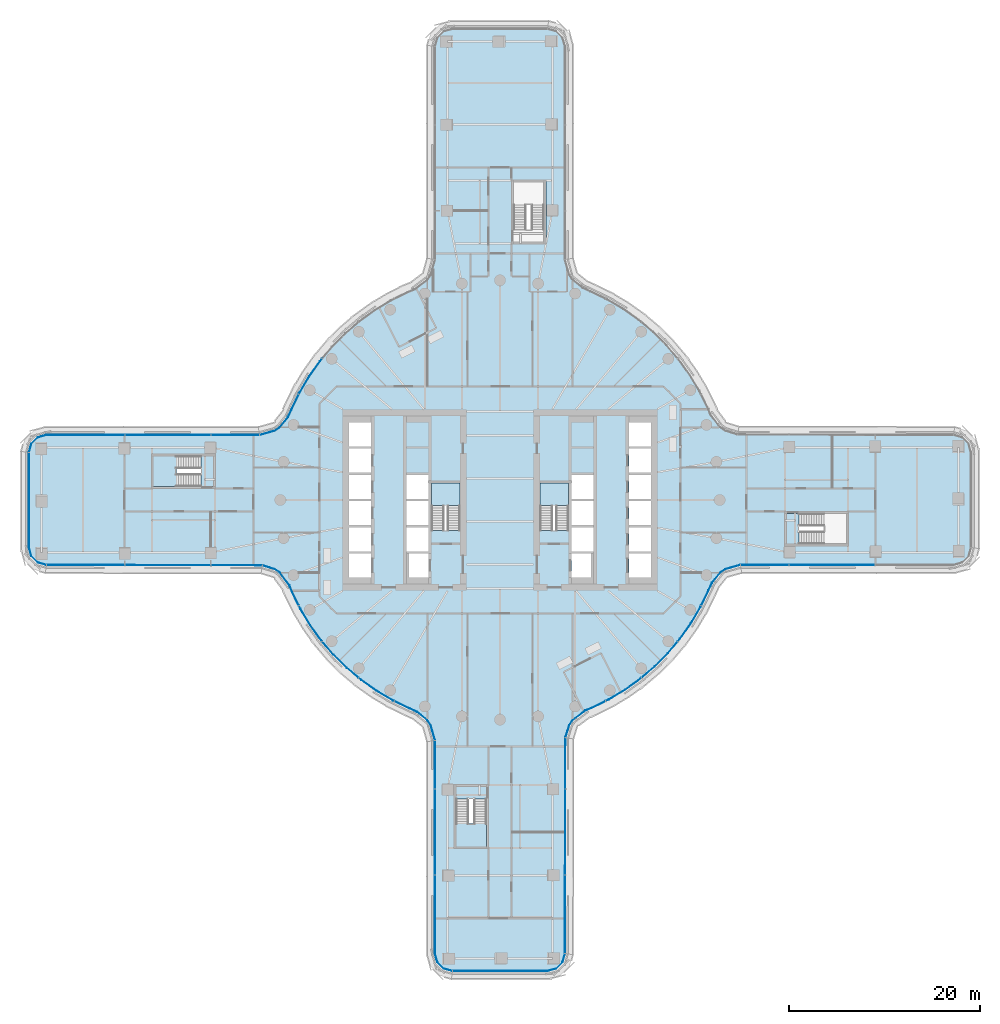
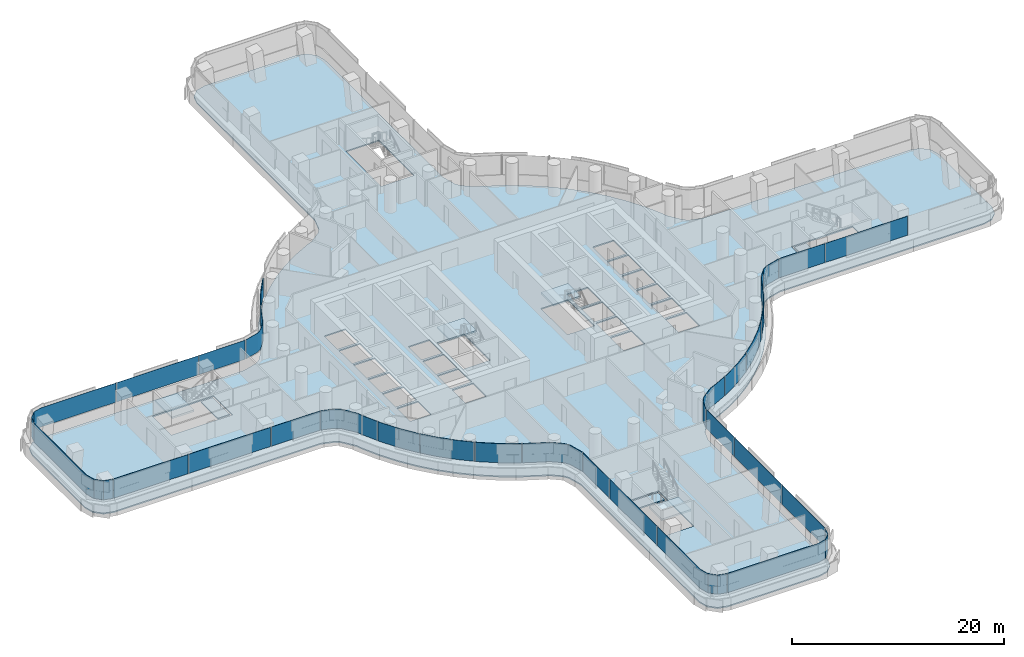
# One storey, part 17 of 32: 28 plates, 8 slabs, 14 elements without a shape of their own.
"""IFC4 building model written with IfcOpenShell, lengths in metres."""

import ifcopenshell
import ifcopenshell.guid

model = None  # the IFC model being written
_history = None  # IfcOwnerHistory: only IFC2X3 demands one
_inside = {}  # id of a spatial element -> (the spatial element, [elements in it])
_under = {}  # id of a project, library or spatial element -> (it, [spatial elements below it])
_declared = {}  # id of a project -> (the project, [libraries it declares])
_typed = {}  # id of a type object -> (the type object, [elements of that type])
_made_of = {}  # id of a material, layer set ... -> (it, [elements and type objects made of it])


def new_model(schema):
    """Start an empty IFC model of exactly this schema.

    Asked for "IFC4X3", IfcOpenShell would pick the latest addendum, in which some entities
    have other attributes; the version numbers below select the first issue.
    IFC2X3 requires an IfcOwnerHistory on every rooted entity: one is made here for all.
    """
    global model, _history
    if schema == "IFC4X3":
        model = ifcopenshell.file(schema_version=(4, 3, 0, 0))
    else:
        model = ifcopenshell.file(schema=schema)
    _inside.clear()
    _under.clear()
    _declared.clear()
    _typed.clear()
    _made_of.clear()
    _history = None
    if model.schema == "IFC2X3":
        org = make("IfcOrganization", Name="unknown")
        user = make(
            "IfcPersonAndOrganization",
            ThePerson=make("IfcPerson", FamilyName="unknown"),
            TheOrganization=org,
        )
        app = make(
            "IfcApplication",
            ApplicationDeveloper=org,
            Version="unknown",
            ApplicationFullName="unknown",
            ApplicationIdentifier="unknown",
        )
        _history = make(
            "IfcOwnerHistory",
            OwningUser=user,
            OwningApplication=app,
            ChangeAction="ADDED",
            CreationDate=0,
        )
    return model


def make(cls, **values):
    """One entity of the class cls with the attributes given. An attribute that is None is left unset."""
    return model.create_entity(
        cls, **{name: value for name, value in values.items() if value is not None}
    )


def rooted(cls, **values):
    """An entity with a GlobalId (a new one), such as an element, a storey or a relation."""
    return make(cls, GlobalId=ifcopenshell.guid.new(), OwnerHistory=_history, **values)


def si_unit(unit_type, name, prefix=None):
    """IfcSIUnit, for example si_unit("LENGTHUNIT", "METRE", prefix="MILLI")."""
    return make("IfcSIUnit", UnitType=unit_type, Prefix=prefix, Name=name)


def assignment(units):
    """IfcUnitAssignment: the units of a project."""
    return None if units is None else make("IfcUnitAssignment", Units=units)


def point(xyz):
    """IfcCartesianPoint."""
    return None if xyz is None else make("IfcCartesianPoint", Coordinates=xyz)


def direction(xyz):
    """IfcDirection."""
    return None if xyz is None else make("IfcDirection", DirectionRatios=xyz)


def frame(location, z_axis=None, x_axis=None):
    """IfcAxis2Placement3D, a coordinate frame: its origin and axes. An axis left out is left unset."""
    return make(
        "IfcAxis2Placement3D",
        Location=point(location),
        Axis=direction(z_axis),
        RefDirection=direction(x_axis),
    )


def origin():
    """The frame at (0, 0, 0) with its axes left unset."""
    return frame((0.0, 0.0, 0.0))


def place(relative_to, where):
    """IfcLocalPlacement: puts the frame where relative to a parent placement (None: the world)."""
    return make(
        "IfcLocalPlacement", PlacementRelTo=relative_to, RelativePlacement=where
    )


def context(
    kind, dimensions, precision=None, world=None, true_north=None, identifier=None
):
    """IfcGeometricRepresentationContext, for example the 3D "Model" context."""
    return make(
        "IfcGeometricRepresentationContext",
        ContextIdentifier=identifier,
        ContextType=kind,
        CoordinateSpaceDimension=dimensions,
        Precision=precision,
        WorldCoordinateSystem=world,
        TrueNorth=true_north,
    )


def subcontext(parent, identifier, kind, view, scale=None):
    """IfcGeometricRepresentationSubContext, for example "Body" below "Model"."""
    return make(
        "IfcGeometricRepresentationSubContext",
        ContextIdentifier=identifier,
        ContextType=kind,
        ParentContext=parent,
        TargetScale=scale,
        TargetView=view,
    )


def project(units=None, contexts=None):
    """IfcProject with its units and contexts."""
    return rooted(
        "IfcProject",
        Name="project",
        RepresentationContexts=contexts,
        UnitsInContext=assignment(units),
    )


def spatial(cls, under=None, at=None, **own):
    """A site, building, storey or space (cls), placed at a placement, below another one or the project."""
    s = rooted(cls, ObjectPlacement=at, **own)
    if under is not None:
        _under.setdefault(under.id(), (under, []))[1].append(s)
    return s


def polyline(points):
    """IfcPolyline through the points."""
    return make("IfcPolyline", Points=[point(p) for p in points])


def outline(outer, holes=None, kind="AREA"):
    """IfcArbitraryClosedProfileDef: a profile drawn as a closed curve; with holes, ...WithVoids."""
    if holes is None:
        return make("IfcArbitraryClosedProfileDef", ProfileType=kind, OuterCurve=outer)
    return make(
        "IfcArbitraryProfileDefWithVoids",
        ProfileType=kind,
        OuterCurve=outer,
        InnerCurves=holes,
    )


def extrude(swept, where, along, depth):
    """IfcExtrudedAreaSolid: the profile swept, set in the frame where, extruded along a direction by depth."""
    return make(
        "IfcExtrudedAreaSolid",
        SweptArea=swept,
        Position=where,
        ExtrudedDirection=direction(along),
        Depth=depth,
    )


def shape(context_of_items, identifier, shape_type, items):
    """IfcShapeRepresentation: the items that make up one representation, for example the "Body"."""
    return make(
        "IfcShapeRepresentation",
        ContextOfItems=context_of_items,
        RepresentationIdentifier=identifier,
        RepresentationType=shape_type,
        Items=items,
    )


def material(Name=None, Category=None):
    """IfcMaterial."""
    return make("IfcMaterial", Name=Name, Category=Category)


def layer(
    of_material, thickness, ventilated=None, Name=None, Category=None, Priority=None
):
    """IfcMaterialLayer: one layer of a wall or slab, of a material (None: an air gap)."""
    return make(
        "IfcMaterialLayer",
        Material=of_material,
        LayerThickness=thickness,
        IsVentilated=ventilated,
        Name=Name,
        Category=Category,
        Priority=Priority,
    )


def layer_set(layers, Name=None):
    """IfcMaterialLayerSet."""
    return make("IfcMaterialLayerSet", MaterialLayers=layers, LayerSetName=Name)


def made_of(thing, what):
    """Note that an element or type object is made of a material, layer set ...; save() writes the relation."""
    if what is not None:
        _made_of.setdefault(what.id(), (what, []))[1].append(thing)
    return thing


def type_object(cls, material=None, **own):
    """A type object (cls), such as IfcWallType, which elements share."""
    return made_of(rooted(cls, **own), material)


def element(
    cls,
    number,
    at=None,
    inside=None,
    cuts=None,
    type_object=None,
    material=None,
    context=None,
    identifier="Body",
    shape_type=None,
    held_by="IfcProductDefinitionShape",
    body=None,
    shapes=None,
    **own,
):
    """One element of the class cls, such as IfcWall. Its Tag is "e" and its number.

    at: its placement. inside: the storey or other place that contains it. cuts: it is an
    opening in that element (IfcRelVoidsElement). A single representation is given by context,
    identifier, shape_type and body (its items); several are given by shapes. held_by: the class
    of the entity that holds the representations. save() writes the other relations.
    """
    e = rooted(cls, Tag="e%d" % number, ObjectPlacement=at, **own)
    if body is not None:
        shapes = [shape(context, identifier, shape_type, body)]
    if shapes is not None:
        e.Representation = make(held_by, Representations=shapes)
    if inside is not None:
        _inside.setdefault(inside.id(), (inside, []))[1].append(e)
    if cuts is not None:
        rooted(
            "IfcRelVoidsElement", RelatingBuildingElement=cuts, RelatedOpeningElement=e
        )
    if type_object is not None:
        _typed.setdefault(type_object.id(), (type_object, []))[1].append(e)
    return made_of(e, material)


def aggregate(whole, parts):
    """IfcRelAggregates: a whole, such as a stair, and the parts it consists of."""
    return rooted("IfcRelAggregates", RelatingObject=whole, RelatedObjects=parts)


def save(model, path):
    """Write the relations noted so far, then the file.

    IfcRelAggregates (storeys below a building ...), IfcRelContainedInSpatialStructure (elements
    in a storey), IfcRelDefinesByType, IfcRelAssociatesMaterial and IfcRelDeclares: one each for
    every whole, place, type object, material and project.
    """
    for whole, parts in _under.values():
        aggregate(whole, parts)
    for where, things in _inside.values():
        rooted(
            "IfcRelContainedInSpatialStructure",
            RelatedElements=things,
            RelatingStructure=where,
        )
    for kind, things in _typed.values():
        rooted("IfcRelDefinesByType", RelatedObjects=things, RelatingType=kind)
    for what, things in _made_of.values():
        rooted("IfcRelAssociatesMaterial", RelatedObjects=things, RelatingMaterial=what)
    for by, libraries in _declared.values():
        rooted("IfcRelDeclares", RelatingContext=by, RelatedDefinitions=libraries)
    model.write(path)


model = new_model("IFC4")

# Units and contexts
model_context = context("Model", 3, precision=1e-05, world=origin(), true_north=direction((0.0, 1.0)))
body_context = subcontext(model_context, "Body", "Model", "MODEL_VIEW")
ifc_project = project(units=[si_unit("LENGTHUNIT", "METRE"), si_unit("AREAUNIT", "SQUARE_METRE"), si_unit("VOLUMEUNIT", "CUBIC_METRE"), si_unit("PLANEANGLEUNIT", "RADIAN"), si_unit("MASSUNIT", "GRAM", prefix="KILO")], contexts=[model_context])

# Site, building, storey
site_placement = place(None, origin())
site = spatial("IfcSite", under=ifc_project, at=site_placement, CompositionType="ELEMENT")
building_placement = place(site_placement, origin())
building = spatial("IfcBuilding", under=site, at=building_placement, Name="Tamarind Cross Interchange Tower", CompositionType="ELEMENT")
storey_placement = place(building_placement, frame((0.0, 0.0, 34.0)))
storey = spatial("IfcBuildingStorey", under=building, at=storey_placement, Name="L06", CompositionType="ELEMENT", Elevation=34.0)

# Slabs
ifc_material_1 = material(Name="Concrete C35", Category="concrete")
ifc_layer_1 = layer(ifc_material_1, 0.139892578125)
ifc_layer_set_1 = layer_set([ifc_layer_1], Name="Concrete C35")
slab_type_1 = type_object("IfcSlabType", Name="Composite slab 140 Concrete C35", PredefinedType="FLOOR", material=ifc_layer_set_1)
slab_1_placement = place(storey_placement, frame((0.0, 0.0, -0.139892578125)))
element("IfcSlab", 1, at=slab_1_placement, inside=storey, type_object=slab_type_1, Name="Floor slab L06", PredefinedType="FLOOR", context=body_context, shape_type="SweptSolid", body=[
    extrude(outline(polyline([(-6.732177734375, 48.507568359375), (-7.0, 47.507568359375), (-7.0, 25.208740234375), (-7.433837890625, 23.65478515625), (-7.75927734375, 23.17822265625), (-9.04931640625, 22.209228515625), (-9.7333984375, 21.93310546875), (-11.511474609375, 21.054443359375), (-13.2109375, 20.031982421875), (-14.820068359375, 18.87255859375), (-16.327880859375, 17.584228515625), (-17.72412109375, 16.17578125), (-18.99951171875, 14.656982421875), (-20.14501953125, 13.0380859375), (-21.15283203125, 11.329833984375), (-22.01611328125, 9.54443359375), (-22.357421875, 8.7919921875), (-23.17822265625, 7.75927734375), (-23.65478515625, 7.433837890625), (-25.208740234375, 7.0), (-47.507568359375, 7.0), (-48.507568359375, 6.732177734375), (-49.239501953125, 6.0), (-49.507568359375, 5.0), (-49.507568359375, -5.0), (-49.239501953125, -6.0), (-48.507568359375, -6.732177734375), (-47.507568359375, -7.0), (-24.915283203125, -7.044189453125), (-23.65478515625, -7.433837890625), (-23.17822265625, -7.75927734375), (-22.209228515625, -9.04931640625), (-21.93310546875, -9.7333984375), (-21.054443359375, -11.511474609375), (-20.031982421875, -13.2109375), (-18.87255859375, -14.820068359375), (-17.584228515625, -16.327880859375), (-16.17578125, -17.72412109375), (-14.656982421875, -18.99951171875), (-13.0380859375, -20.14501953125), (-11.329833984375, -21.15283203125), (-9.54443359375, -22.01611328125), (-8.7919921875, -22.357421875), (-7.75927734375, -23.17822265625), (-7.433837890625, -23.65478515625), (-7.0, -25.208740234375), (-7.0, -47.507568359375), (-6.732177734375, -48.507568359375), (-6.0, -49.239501953125), (-5.0, -49.507568359375), (5.0, -49.507568359375), (6.0, -49.239501953125), (6.732177734375, -48.507568359375), (7.0, -47.507568359375), (7.044189453125, -24.915283203125), (7.433837890625, -23.65478515625), (7.75927734375, -23.17822265625), (9.04931640625, -22.209228515625), (9.7333984375, -21.93310546875), (11.511474609375, -21.054443359375), (13.2109375, -20.031982421875), (14.820068359375, -18.87255859375), (16.327880859375, -17.584228515625), (17.72412109375, -16.17578125), (18.99951171875, -14.656982421875), (20.14501953125, -13.0380859375), (21.15283203125, -11.329833984375), (22.01611328125, -9.54443359375), (22.357421875, -8.7919921875), (23.17822265625, -7.75927734375), (23.65478515625, -7.433837890625), (25.208740234375, -7.0), (47.507568359375, -7.0), (48.507568359375, -6.732177734375), (49.239501953125, -6.0), (49.507568359375, -5.0), (49.507568359375, 5.0), (49.239501953125, 6.0), (48.507568359375, 6.732177734375), (47.507568359375, 7.0), (24.915283203125, 7.044189453125), (23.65478515625, 7.433837890625), (23.17822265625, 7.75927734375), (22.209228515625, 9.04931640625), (21.93310546875, 9.7333984375), (21.054443359375, 11.511474609375), (20.031982421875, 13.2109375), (18.87255859375, 14.820068359375), (17.584228515625, 16.327880859375), (16.17578125, 17.72412109375), (14.656982421875, 18.99951171875), (13.0380859375, 20.14501953125), (11.329833984375, 21.15283203125), (9.54443359375, 22.01611328125), (8.7919921875, 22.357421875), (7.75927734375, 23.17822265625), (7.433837890625, 23.65478515625), (7.0, 25.208740234375), (7.0, 47.507568359375), (6.732177734375, 48.507568359375), (6.0, 49.239501953125), (5.0, 49.507568359375), (-5.0, 49.507568359375), (-6.0, 49.239501953125), (-6.732177734375, 48.507568359375)]), holes=[polyline([(-13.5, -8.125), (-15.800048828125, -8.125), (-15.800048828125, -5.625), (-13.5, -5.625), (-13.5, -8.125)]), polyline([(-13.5, -5.375), (-15.800048828125, -5.375), (-15.800048828125, -2.875), (-13.5, -2.875), (-13.5, -5.375)]), polyline([(-7.5, -5.375), (-9.800048828125, -5.375), (-9.800048828125, -2.875), (-7.5, -2.875), (-7.5, -5.375)]), polyline([(-15.800048828125, -2.625), (-15.800048828125, -0.125), (-13.5, -0.125), (-13.5, -2.625), (-15.800048828125, -2.625)]), polyline([(-9.800048828125, -2.625), (-9.800048828125, -0.125), (-7.5, -0.125), (-7.5, -2.625), (-9.800048828125, -2.625)]), polyline([(-36.5, 4.800048828125), (-29.800048828125, 4.800048828125), (-29.800048828125, 4.60009765625), (-29.800048828125, 1.39990234375), (-29.800048828125, 1.199951171875), (-36.5, 1.199951171875), (-36.5, 1.39990234375), (-36.5, 4.60009765625), (-36.5, 4.800048828125)]), polyline([(-13.5, 0.125), (-15.800048828125, 0.125), (-15.800048828125, 2.625), (-13.5, 2.625), (-13.5, 0.125)]), polyline([(-7.5, 0.125), (-9.800048828125, 0.125), (-9.800048828125, 2.625), (-7.5, 2.625), (-7.5, 0.125)]), polyline([(-13.5, 2.875), (-15.800048828125, 2.875), (-15.800048828125, 5.375), (-13.5, 5.375), (-13.5, 2.875)]), polyline([(-15.800048828125, 5.625), (-15.800048828125, 8.125), (-13.5, 8.125), (-13.5, 5.625), (-15.800048828125, 5.625)]), polyline([(-4.800048828125, -36.5), (-4.800048828125, -29.800048828125), (-4.60009765625, -29.800048828125), (-1.39990234375, -29.800048828125), (-1.199951171875, -29.800048828125), (-1.199951171875, -36.5), (-1.39990234375, -36.5), (-4.60009765625, -36.5), (-4.800048828125, -36.5)]), polyline([(-9.800048828125, -8.125), (-9.800048828125, -5.625), (-7.5, -5.625), (-7.5, -8.125), (-9.800048828125, -8.125)]), polyline([(-4.199951171875, -3.18798828125), (-7.14990234375, -3.18798828125), (-7.14990234375, 1.800048828125), (-4.199951171875, 1.800048828125), (-4.199951171875, -3.18798828125)]), polyline([(7.14990234375, 1.800048828125), (7.14990234375, -3.18798828125), (4.199951171875, -3.18798828125), (4.199951171875, 1.800048828125), (7.14990234375, 1.800048828125)]), polyline([(7.5, 2.625), (9.800048828125, 2.625), (9.800048828125, 0.125), (7.5, 0.125), (7.5, 2.625)]), polyline([(4.800048828125, 33.5), (4.800048828125, 26.800048828125), (4.60009765625, 26.800048828125), (1.39990234375, 26.800048828125), (1.199951171875, 26.800048828125), (1.199951171875, 33.5), (1.39990234375, 33.5), (4.60009765625, 33.5), (4.800048828125, 33.5)]), polyline([(7.5, -5.625), (9.800048828125, -5.625), (9.800048828125, -8.125), (7.5, -8.125), (7.5, -5.625)]), polyline([(15.800048828125, -5.625), (15.800048828125, -8.125), (13.5, -8.125), (13.5, -5.625), (15.800048828125, -5.625)]), polyline([(29.800048828125, -4.800048828125), (29.800048828125, -4.60009765625), (29.800048828125, -1.39990234375), (29.800048828125, -1.199951171875), (36.5, -1.199951171875), (36.5, -1.39990234375), (36.5, -4.60009765625), (36.5, -4.800048828125), (29.800048828125, -4.800048828125)]), polyline([(7.5, -2.875), (9.800048828125, -2.875), (9.800048828125, -5.375), (7.5, -5.375), (7.5, -2.875)]), polyline([(13.5, -2.875), (15.800048828125, -2.875), (15.800048828125, -5.375), (13.5, -5.375), (13.5, -2.875)]), polyline([(7.5, -0.125), (9.800048828125, -0.125), (9.800048828125, -2.625), (7.5, -2.625), (7.5, -0.125)]), polyline([(15.800048828125, -0.125), (15.800048828125, -2.625), (13.5, -2.625), (13.5, -0.125), (15.800048828125, -0.125)]), polyline([(13.5, 2.625), (15.800048828125, 2.625), (15.800048828125, 0.125), (13.5, 0.125), (13.5, 2.625)]), polyline([(15.800048828125, 5.375), (15.800048828125, 2.875), (13.5, 2.875), (13.5, 5.375), (15.800048828125, 5.375)]), polyline([(15.800048828125, 8.125), (15.800048828125, 5.625), (13.5, 5.625), (13.5, 8.125), (15.800048828125, 8.125)])]), origin(), (0.0, 0.0, 1.0), 0.139892578125),
])
slab_2_placement = place(storey_placement, frame((0.0, 0.0, -0.139892578125)))
element("IfcSlab", 2, at=slab_2_placement, inside=storey, type_object=slab_type_1, Name="Floor slab L06", PredefinedType="FLOOR", context=body_context, shape_type="SweptSolid", body=[
    extrude(outline(polyline([(-30.0, 1.39990234375), (-30.0, 4.60009765625), (-31.31201171875, 4.60009765625), (-31.31201171875, 1.39990234375), (-30.0, 1.39990234375)])), origin(), (0.0, 0.0, 1.0), 0.139892578125),
])
slab_3_placement = place(storey_placement, frame((0.0, 0.0, -0.139892578125)))
element("IfcSlab", 3, at=slab_3_placement, inside=storey, type_object=slab_type_1, Name="Floor slab L06", PredefinedType="FLOOR", context=body_context, shape_type="SweptSolid", body=[
    extrude(outline(polyline([(-4.60009765625, -31.31201171875), (-1.39990234375, -31.31201171875), (-1.39990234375, -30.0), (-4.60009765625, -30.0), (-4.60009765625, -31.31201171875)])), origin(), (0.0, 0.0, 1.0), 0.139892578125),
])
slab_4_placement = place(storey_placement, frame((0.0, 0.0, -0.139892578125)))
element("IfcSlab", 4, at=slab_4_placement, inside=storey, type_object=slab_type_1, Name="Floor slab L06", PredefinedType="FLOOR", context=body_context, shape_type="SweptSolid", body=[
    extrude(outline(polyline([(30.0, -4.60009765625), (31.31201171875, -4.60009765625), (31.31201171875, -1.39990234375), (30.0, -1.39990234375), (30.0, -4.60009765625)])), origin(), (0.0, 0.0, 1.0), 0.139892578125),
])

# Stair, slab
ifc_material_2 = material(Name="Exit stair")
stair_type = type_object("IfcStairType", Name="Exit stair", PredefinedType="HALF_TURN_STAIR", material=ifc_material_2)
stair_1_placement = place(storey_placement, origin())
stair_1 = element("IfcStair", 5, at=stair_1_placement, inside=storey, type_object=stair_type, Name="L06 exit stair ST1", PredefinedType="HALF_TURN_STAIR")
ifc_material_3 = material(Name="Concrete C40", Category="concrete")
ifc_layer_2 = layer(ifc_material_3, 0.199951171875)
ifc_layer_set_2 = layer_set([ifc_layer_2], Name="Concrete C40")
slab_type_2 = type_object("IfcSlabType", Name="Stair landing", PredefinedType="LANDING", material=ifc_layer_set_2)
slab_5_placement = place(storey_placement, frame((0.0, 0.0, 1.675048828125)))
slab_5 = element("IfcSlab", 6, at=slab_5_placement, type_object=slab_type_2, Name="ST1 landing 1", PredefinedType="LANDING", context=body_context, shape_type="SweptSolid", body=[
    extrude(outline(polyline([(-4.199951171875, -0.60009765625), (-4.199951171875, 1.800048828125), (-7.14990234375, 1.800048828125), (-7.14990234375, -0.60009765625), (-4.199951171875, -0.60009765625)])), origin(), (0.0, 0.0, 1.0), 0.199951171875),
])
aggregate(stair_1, [slab_5])

stair_2_placement = place(storey_placement, origin())
stair_2 = element("IfcStair", 7, at=stair_2_placement, inside=storey, type_object=stair_type, Name="L06 exit stair ST2", PredefinedType="HALF_TURN_STAIR")
slab_6_placement = place(storey_placement, frame((0.0, 0.0, 1.675048828125)))
slab_6 = element("IfcSlab", 8, at=slab_6_placement, type_object=slab_type_2, Name="ST2 landing 1", PredefinedType="LANDING", context=body_context, shape_type="SweptSolid", body=[
    extrude(outline(polyline([(7.14990234375, -0.60009765625), (7.14990234375, 1.800048828125), (4.199951171875, 1.800048828125), (4.199951171875, -0.60009765625), (7.14990234375, -0.60009765625)])), origin(), (0.0, 0.0, 1.0), 0.199951171875),
])
aggregate(stair_2, [slab_6])

stair_3_placement = place(storey_placement, origin())
stair_3 = element("IfcStair", 9, at=stair_3_placement, inside=storey, type_object=stair_type, Name="L06 exit stair ST5", PredefinedType="HALF_TURN_STAIR")
slab_7_placement = place(storey_placement, frame((0.0, 0.0, 1.675048828125)))
slab_7 = element("IfcSlab", 10, at=slab_7_placement, type_object=slab_type_2, Name="ST5 landing 1", PredefinedType="LANDING", context=body_context, shape_type="SweptSolid", body=[
    extrude(outline(polyline([(-33.887939453125, 4.60009765625), (-36.300048828125, 4.60009765625), (-36.300048828125, 1.39990234375), (-33.887939453125, 1.39990234375), (-33.887939453125, 4.60009765625)])), origin(), (0.0, 0.0, 1.0), 0.199951171875),
])
aggregate(stair_3, [slab_7])

stair_4_placement = place(storey_placement, origin())
stair_4 = element("IfcStair", 11, at=stair_4_placement, inside=storey, type_object=stair_type, Name="L06 exit stair ST6", PredefinedType="HALF_TURN_STAIR")
slab_8_placement = place(storey_placement, frame((0.0, 0.0, 1.675048828125)))
slab_8 = element("IfcSlab", 12, at=slab_8_placement, type_object=slab_type_2, Name="ST6 landing 1", PredefinedType="LANDING", context=body_context, shape_type="SweptSolid", body=[
    extrude(outline(polyline([(-4.60009765625, -33.887939453125), (-4.60009765625, -36.300048828125), (-1.39990234375, -36.300048828125), (-1.39990234375, -33.887939453125), (-4.60009765625, -33.887939453125)])), origin(), (0.0, 0.0, 1.0), 0.199951171875),
])
aggregate(stair_4, [slab_8])

# Curtain wall, plates
ifc_material_4 = material(Name="Aluminium 6063-T6", Category="aluminium")
ifc_layer_3 = layer(ifc_material_4, 0.159912109375)
ifc_layer_set_3 = layer_set([ifc_layer_3], Name="Aluminium 6063-T6")
curtain_wall_type_1 = type_object("IfcCurtainWallType", Name="Office curtain wall, 9.0 m bays", PredefinedType="NOTDEFINED", material=ifc_layer_set_3)
curtain_wall_1_placement = place(storey_placement, origin())
curtain_wall_1 = element("IfcCurtainWall", 13, at=curtain_wall_1_placement, inside=storey, type_object=curtain_wall_type_1, Name="CWS-L06-00", PredefinedType="NOTDEFINED")
ifc_material_5 = material(Name="Laminated low-e glass 8+1.52+8", Category="glass")
ifc_layer_4 = layer(ifc_material_5, 0.028076171875)
ifc_layer_set_4 = layer_set([ifc_layer_4], Name="Laminated low-e glass 8+1.52+8")
plate_type_1 = type_object("IfcPlateType", Name="Vision panel CW1", PredefinedType="CURTAIN_PANEL", material=ifc_layer_set_4)
plate_1_placement = place(storey_placement, frame((0.0, 0.0, 1.39990234375)))
plate_1 = element("IfcPlate", 14, at=plate_1_placement, type_object=plate_type_1, Name="CWP-L06-00-00", PredefinedType="CURTAIN_PANEL", context=body_context, shape_type="SweptSolid", body=[
    extrude(outline(polyline([(-25.21142578125, 6.785888671875), (-30.242919921875, 6.785888671875), (-30.242919921875, 6.81396484375), (-25.21142578125, 6.81396484375), (-25.21142578125, 6.785888671875)])), origin(), (0.0, 0.0, 1.0), 2.210205078125),
])
plate_2_placement = place(storey_placement, frame((0.0, 0.0, 1.39990234375)))
plate_2 = element("IfcPlate", 15, at=plate_2_placement, type_object=plate_type_1, Name="CWP-L06-00-01", PredefinedType="CURTAIN_PANEL", context=body_context, shape_type="SweptSolid", body=[
    extrude(outline(polyline([(-30.302734375, 6.785888671875), (-39.2431640625, 6.785888671875), (-39.2431640625, 6.81396484375), (-30.302734375, 6.81396484375), (-30.302734375, 6.785888671875)])), origin(), (0.0, 0.0, 1.0), 2.210205078125),
])
plate_3_placement = place(storey_placement, frame((0.0, 0.0, 1.39990234375)))
plate_3 = element("IfcPlate", 16, at=plate_3_placement, type_object=plate_type_1, Name="CWP-L06-00-02", PredefinedType="CURTAIN_PANEL", context=body_context, shape_type="SweptSolid", body=[
    extrude(outline(polyline([(-39.30322265625, 6.785888671875), (-47.4794921875, 6.785888671875), (-48.396728515625, 6.540283203125), (-49.0478515625, 5.88916015625), (-49.286376953125, 4.9990234375), (-49.313232421875, 5.00634765625), (-49.07275390625, 5.90380859375), (-48.411376953125, 6.565185546875), (-47.483154296875, 6.81396484375), (-39.30322265625, 6.81396484375), (-39.30322265625, 6.785888671875)])), origin(), (0.0, 0.0, 1.0), 2.210205078125),
])
aggregate(curtain_wall_1, [plate_1, plate_2, plate_3])

# Curtain wall, plate
curtain_wall_2_placement = place(storey_placement, origin())
curtain_wall_2 = element("IfcCurtainWall", 17, at=curtain_wall_2_placement, inside=storey, type_object=curtain_wall_type_1, Name="CWS-L06-01", PredefinedType="NOTDEFINED")
plate_4_placement = place(storey_placement, frame((0.0, 0.0, 1.39990234375)))
plate_4 = element("IfcPlate", 18, at=plate_4_placement, type_object=plate_type_1, Name="CWP-L06-01-00", PredefinedType="CURTAIN_PANEL", context=body_context, shape_type="SweptSolid", body=[
    extrude(outline(polyline([(-49.29345703125, 4.943603515625), (-49.29345703125, -4.971923828125), (-49.0478515625, -5.88916015625), (-48.396728515625, -6.540283203125), (-47.50634765625, -6.77880859375), (-47.513671875, -6.805908203125), (-48.411376953125, -6.565185546875), (-49.07275390625, -5.90380859375), (-49.321533203125, -4.9755859375), (-49.321533203125, 4.943603515625), (-49.29345703125, 4.943603515625)])), origin(), (0.0, 0.0, 1.0), 2.210205078125),
])
aggregate(curtain_wall_2, [plate_4])

# Curtain wall, plates
curtain_wall_3_placement = place(storey_placement, origin())
curtain_wall_3 = element("IfcCurtainWall", 19, at=curtain_wall_3_placement, inside=storey, type_object=curtain_wall_type_1, Name="CWS-L06-02", PredefinedType="NOTDEFINED")
plate_5_placement = place(storey_placement, frame((0.0, 0.0, 1.39990234375)))
plate_5 = element("IfcPlate", 20, at=plate_5_placement, type_object=plate_type_1, Name="CWP-L06-02-00", PredefinedType="CURTAIN_PANEL", context=body_context, shape_type="SweptSolid", body=[
    extrude(outline(polyline([(-47.450927734375, -6.7861328125), (-39.302001953125, -6.802001953125), (-39.302001953125, -6.830078125), (-47.451171875, -6.814208984375), (-47.450927734375, -6.7861328125)])), origin(), (0.0, 0.0, 1.0), 2.210205078125),
])
plate_6_placement = place(storey_placement, frame((0.0, 0.0, 1.39990234375)))
plate_6 = element("IfcPlate", 21, at=plate_6_placement, type_object=plate_type_1, Name="CWP-L06-02-01", PredefinedType="CURTAIN_PANEL", context=body_context, shape_type="SweptSolid", body=[
    extrude(outline(polyline([(-39.241943359375, -6.80224609375), (-30.300537109375, -6.81982421875), (-30.30078125, -6.84765625), (-39.2421875, -6.830322265625), (-39.241943359375, -6.80224609375)])), origin(), (0.0, 0.0, 1.0), 2.210205078125),
])
plate_7_placement = place(storey_placement, frame((0.0, 0.0, 1.39990234375)))
plate_7 = element("IfcPlate", 22, at=plate_7_placement, type_object=plate_type_1, Name="CWP-L06-02-02", PredefinedType="CURTAIN_PANEL", context=body_context, shape_type="SweptSolid", body=[
    extrude(outline(polyline([(-30.24072265625, -6.81982421875), (-24.914794921875, -6.830322265625), (-24.914794921875, -6.8583984375), (-30.24072265625, -6.847900390625), (-30.24072265625, -6.81982421875)])), origin(), (0.0, 0.0, 1.0), 2.210205078125),
])
aggregate(curtain_wall_3, [plate_5, plate_6, plate_7])

curtain_wall_4_placement = place(storey_placement, origin())
curtain_wall_4 = element("IfcCurtainWall", 23, at=curtain_wall_4_placement, inside=storey, type_object=curtain_wall_type_1, Name="CWS-L06-04", PredefinedType="NOTDEFINED")
plate_8_placement = place(storey_placement, frame((0.0, 0.0, 1.39990234375)))
plate_8 = element("IfcPlate", 24, at=plate_8_placement, type_object=plate_type_1, Name="CWP-L06-04-00", PredefinedType="CURTAIN_PANEL", context=body_context, shape_type="SweptSolid", body=[
    extrude(outline(polyline([(-6.785888671875, -25.21142578125), (-6.785888671875, -30.242919921875), (-6.81396484375, -30.242919921875), (-6.81396484375, -25.21142578125), (-6.785888671875, -25.21142578125)])), origin(), (0.0, 0.0, 1.0), 2.210205078125),
])
plate_9_placement = place(storey_placement, frame((0.0, 0.0, 1.39990234375)))
plate_9 = element("IfcPlate", 25, at=plate_9_placement, type_object=plate_type_1, Name="CWP-L06-04-01", PredefinedType="CURTAIN_PANEL", context=body_context, shape_type="SweptSolid", body=[
    extrude(outline(polyline([(-6.785888671875, -30.302734375), (-6.785888671875, -39.2431640625), (-6.81396484375, -39.2431640625), (-6.81396484375, -30.302734375), (-6.785888671875, -30.302734375)])), origin(), (0.0, 0.0, 1.0), 2.210205078125),
])
plate_10_placement = place(storey_placement, frame((0.0, 0.0, 1.39990234375)))
plate_10 = element("IfcPlate", 26, at=plate_10_placement, type_object=plate_type_1, Name="CWP-L06-04-02", PredefinedType="CURTAIN_PANEL", context=body_context, shape_type="SweptSolid", body=[
    extrude(outline(polyline([(-6.785888671875, -39.30322265625), (-6.785888671875, -47.4794921875), (-6.540283203125, -48.396728515625), (-5.88916015625, -49.0478515625), (-4.9990234375, -49.286376953125), (-5.00634765625, -49.313232421875), (-5.90380859375, -49.07275390625), (-6.565185546875, -48.411376953125), (-6.81396484375, -47.483154296875), (-6.81396484375, -39.30322265625), (-6.785888671875, -39.30322265625)])), origin(), (0.0, 0.0, 1.0), 2.210205078125),
])
aggregate(curtain_wall_4, [plate_8, plate_9, plate_10])

# Curtain wall, plate
curtain_wall_5_placement = place(storey_placement, origin())
curtain_wall_5 = element("IfcCurtainWall", 27, at=curtain_wall_5_placement, inside=storey, type_object=curtain_wall_type_1, Name="CWS-L06-05", PredefinedType="NOTDEFINED")
plate_11_placement = place(storey_placement, frame((0.0, 0.0, 1.39990234375)))
plate_11 = element("IfcPlate", 28, at=plate_11_placement, type_object=plate_type_1, Name="CWP-L06-05-00", PredefinedType="CURTAIN_PANEL", context=body_context, shape_type="SweptSolid", body=[
    extrude(outline(polyline([(-4.943603515625, -49.29345703125), (4.971923828125, -49.29345703125), (5.88916015625, -49.0478515625), (6.540283203125, -48.396728515625), (6.77880859375, -47.50634765625), (6.805908203125, -47.513671875), (6.565185546875, -48.411376953125), (5.90380859375, -49.07275390625), (4.9755859375, -49.321533203125), (-4.943603515625, -49.321533203125), (-4.943603515625, -49.29345703125)])), origin(), (0.0, 0.0, 1.0), 2.210205078125),
])
aggregate(curtain_wall_5, [plate_11])

# Curtain wall, plates
curtain_wall_6_placement = place(storey_placement, origin())
curtain_wall_6 = element("IfcCurtainWall", 29, at=curtain_wall_6_placement, inside=storey, type_object=curtain_wall_type_1, Name="CWS-L06-06", PredefinedType="NOTDEFINED")
plate_12_placement = place(storey_placement, frame((0.0, 0.0, 1.39990234375)))
plate_12 = element("IfcPlate", 30, at=plate_12_placement, type_object=plate_type_1, Name="CWP-L06-06-00", PredefinedType="CURTAIN_PANEL", context=body_context, shape_type="SweptSolid", body=[
    extrude(outline(polyline([(6.7861328125, -47.450927734375), (6.802001953125, -39.302001953125), (6.830078125, -39.302001953125), (6.814208984375, -47.451171875), (6.7861328125, -47.450927734375)])), origin(), (0.0, 0.0, 1.0), 2.210205078125),
])
plate_13_placement = place(storey_placement, frame((0.0, 0.0, 1.39990234375)))
plate_13 = element("IfcPlate", 31, at=plate_13_placement, type_object=plate_type_1, Name="CWP-L06-06-01", PredefinedType="CURTAIN_PANEL", context=body_context, shape_type="SweptSolid", body=[
    extrude(outline(polyline([(6.80224609375, -39.241943359375), (6.81982421875, -30.300537109375), (6.84765625, -30.30078125), (6.830322265625, -39.2421875), (6.80224609375, -39.241943359375)])), origin(), (0.0, 0.0, 1.0), 2.210205078125),
])
plate_14_placement = place(storey_placement, frame((0.0, 0.0, 1.39990234375)))
plate_14 = element("IfcPlate", 32, at=plate_14_placement, type_object=plate_type_1, Name="CWP-L06-06-02", PredefinedType="CURTAIN_PANEL", context=body_context, shape_type="SweptSolid", body=[
    extrude(outline(polyline([(6.81982421875, -30.24072265625), (6.830322265625, -24.914794921875), (6.8583984375, -24.914794921875), (6.847900390625, -30.24072265625), (6.81982421875, -30.24072265625)])), origin(), (0.0, 0.0, 1.0), 2.210205078125),
])
aggregate(curtain_wall_6, [plate_12, plate_13, plate_14])

curtain_wall_7_placement = place(storey_placement, origin())
curtain_wall_7 = element("IfcCurtainWall", 33, at=curtain_wall_7_placement, inside=storey, type_object=curtain_wall_type_1, Name="CWS-L06-08", PredefinedType="NOTDEFINED")
plate_15_placement = place(storey_placement, frame((0.0, 0.0, 1.39990234375)))
plate_15 = element("IfcPlate", 34, at=plate_15_placement, type_object=plate_type_1, Name="CWP-L06-08-00", PredefinedType="CURTAIN_PANEL", context=body_context, shape_type="SweptSolid", body=[
    extrude(outline(polyline([(25.21142578125, -6.785888671875), (30.242919921875, -6.785888671875), (30.242919921875, -6.81396484375), (25.21142578125, -6.81396484375), (25.21142578125, -6.785888671875)])), origin(), (0.0, 0.0, 1.0), 2.210205078125),
])
plate_16_placement = place(storey_placement, frame((0.0, 0.0, 1.39990234375)))
plate_16 = element("IfcPlate", 35, at=plate_16_placement, type_object=plate_type_1, Name="CWP-L06-08-01", PredefinedType="CURTAIN_PANEL", context=body_context, shape_type="SweptSolid", body=[
    extrude(outline(polyline([(30.302734375, -6.785888671875), (39.2431640625, -6.785888671875), (39.2431640625, -6.81396484375), (30.302734375, -6.81396484375), (30.302734375, -6.785888671875)])), origin(), (0.0, 0.0, 1.0), 2.210205078125),
])
aggregate(curtain_wall_7, [plate_15, plate_16])

ifc_layer_5 = layer(ifc_material_4, 0.14990234375)
ifc_layer_set_5 = layer_set([ifc_layer_5], Name="Aluminium 6063-T6")
curtain_wall_type_2 = type_object("IfcCurtainWallType", Name="Winter garden and crown curtain wall", PredefinedType="NOTDEFINED", material=ifc_layer_set_5)
curtain_wall_8_placement = place(storey_placement, origin())
curtain_wall_8 = element("IfcCurtainWall", 36, at=curtain_wall_8_placement, inside=storey, type_object=curtain_wall_type_2, Name="CWS-L06-03", PredefinedType="NOTDEFINED")
ifc_layer_6 = layer(ifc_material_5, 0.030029296875)
ifc_layer_set_6 = layer_set([ifc_layer_6], Name="Laminated low-e glass 8+1.52+8")
plate_type_2 = type_object("IfcPlateType", Name="Vision panel CW6", PredefinedType="CURTAIN_PANEL", material=ifc_layer_set_6)
plate_17_placement = place(storey_placement, frame((0.0, 0.0, 1.39990234375)))
plate_17 = element("IfcPlate", 37, at=plate_17_placement, type_object=plate_type_2, Name="CWP-L06-03-00", PredefinedType="CURTAIN_PANEL", context=body_context, shape_type="SweptSolid", body=[
    extrude(outline(polyline([(-24.851806640625, -6.8388671875), (-23.560302734375, -7.238037109375), (-23.02783203125, -7.601806640625), (-22.0205078125, -8.942626953125), (-21.73681640625, -9.6455078125), (-21.0537109375, -11.028076171875), (-21.08056640625, -11.041259765625), (-21.76416015625, -9.65771484375), (-22.046875, -8.95751953125), (-23.048828125, -7.623779296875), (-23.573486328125, -7.265380859375), (-24.860595703125, -6.86767578125), (-24.851806640625, -6.8388671875)])), origin(), (0.0, 0.0, 1.0), 2.210205078125),
])
plate_18_placement = place(storey_placement, frame((0.0, 0.0, 1.39990234375)))
plate_18 = element("IfcPlate", 38, at=plate_18_placement, type_object=plate_type_2, Name="CWP-L06-03-01", PredefinedType="CURTAIN_PANEL", context=body_context, shape_type="SweptSolid", body=[
    extrude(outline(polyline([(-21.027099609375, -11.081787109375), (-20.86572265625, -11.408203125), (-19.852294921875, -13.09228515625), (-18.703369140625, -14.68701171875), (-18.63330078125, -14.76904296875), (-18.656005859375, -14.78857421875), (-18.72705078125, -14.70556640625), (-19.87744140625, -13.10888671875), (-20.89208984375, -11.422607421875), (-21.053955078125, -11.094970703125), (-21.027099609375, -11.081787109375)])), origin(), (0.0, 0.0, 1.0), 2.210205078125),
])
plate_19_placement = place(storey_placement, frame((0.0, 0.0, 1.39990234375)))
plate_19 = element("IfcPlate", 39, at=plate_19_placement, type_object=plate_type_2, Name="CWP-L06-03-02", PredefinedType="CURTAIN_PANEL", context=body_context, shape_type="SweptSolid", body=[
    extrude(outline(polyline([(-18.59423828125, -14.814697265625), (-17.426513671875, -16.181396484375), (-16.03076171875, -17.565185546875), (-14.81103515625, -18.58935546875), (-14.830322265625, -18.612548828125), (-16.051025390625, -17.58740234375), (-17.448486328125, -16.201904296875), (-18.6171875, -14.834228515625), (-18.59423828125, -14.814697265625)])), origin(), (0.0, 0.0, 1.0), 2.210205078125),
])
plate_20_placement = place(storey_placement, frame((0.0, 0.0, 1.39990234375)))
plate_20 = element("IfcPlate", 40, at=plate_20_placement, type_object=plate_type_2, Name="CWP-L06-03-03", PredefinedType="CURTAIN_PANEL", context=body_context, shape_type="SweptSolid", body=[
    extrude(outline(polyline([(-14.764892578125, -18.6279296875), (-14.525634765625, -18.8291015625), (-12.921142578125, -19.96435546875), (-11.228271484375, -20.963134765625), (-11.084228515625, -21.03271484375), (-11.097412109375, -21.0595703125), (-11.242431640625, -20.989501953125), (-12.937255859375, -19.989501953125), (-14.5439453125, -18.852783203125), (-14.7841796875, -18.651123046875), (-14.764892578125, -18.6279296875)])), origin(), (0.0, 0.0, 1.0), 2.210205078125),
])
plate_21_placement = place(storey_placement, frame((0.0, 0.0, 1.39990234375)))
plate_21 = element("IfcPlate", 41, at=plate_21_placement, type_object=plate_type_2, Name="CWP-L06-03-04", PredefinedType="CURTAIN_PANEL", context=body_context, shape_type="SweptSolid", body=[
    extrude(outline(polyline([(-11.0302734375, -21.058837890625), (-9.453125, -21.821533203125), (-8.678955078125, -22.17236328125), (-7.60009765625, -23.0302734375), (-7.236328125, -23.562744140625), (-6.793701171875, -25.1484375), (-6.822509765625, -25.156494140625), (-7.263916015625, -23.57568359375), (-7.622314453125, -23.051025390625), (-8.69482421875, -22.1982421875), (-9.4658203125, -21.8486328125), (-11.04345703125, -21.085693359375), (-11.0302734375, -21.058837890625)])), origin(), (0.0, 0.0, 1.0), 2.210205078125),
])
aggregate(curtain_wall_8, [plate_17, plate_18, plate_19, plate_20, plate_21])

curtain_wall_9_placement = place(storey_placement, origin())
curtain_wall_9 = element("IfcCurtainWall", 42, at=curtain_wall_9_placement, inside=storey, type_object=curtain_wall_type_2, Name="CWS-L06-07", PredefinedType="NOTDEFINED")
plate_22_placement = place(storey_placement, frame((0.0, 0.0, 1.39990234375)))
plate_22 = element("IfcPlate", 43, at=plate_22_placement, type_object=plate_type_2, Name="CWP-L06-07-00", PredefinedType="CURTAIN_PANEL", context=body_context, shape_type="SweptSolid", body=[
    extrude(outline(polyline([(6.8388671875, -24.851806640625), (7.238037109375, -23.560302734375), (7.601806640625, -23.02783203125), (8.942626953125, -22.0205078125), (9.6455078125, -21.73681640625), (11.028076171875, -21.0537109375), (11.041259765625, -21.08056640625), (9.65771484375, -21.76416015625), (8.95751953125, -22.046875), (7.623779296875, -23.048828125), (7.265380859375, -23.573486328125), (6.86767578125, -24.860595703125), (6.8388671875, -24.851806640625)])), origin(), (0.0, 0.0, 1.0), 2.210205078125),
])
plate_23_placement = place(storey_placement, frame((0.0, 0.0, 1.39990234375)))
plate_23 = element("IfcPlate", 44, at=plate_23_placement, type_object=plate_type_2, Name="CWP-L06-07-01", PredefinedType="CURTAIN_PANEL", context=body_context, shape_type="SweptSolid", body=[
    extrude(outline(polyline([(11.081787109375, -21.027099609375), (11.408203125, -20.86572265625), (13.09228515625, -19.852294921875), (14.68701171875, -18.703369140625), (14.76904296875, -18.63330078125), (14.78857421875, -18.656005859375), (14.70556640625, -18.72705078125), (13.10888671875, -19.87744140625), (11.422607421875, -20.89208984375), (11.094970703125, -21.053955078125), (11.081787109375, -21.027099609375)])), origin(), (0.0, 0.0, 1.0), 2.210205078125),
])
plate_24_placement = place(storey_placement, frame((0.0, 0.0, 1.39990234375)))
plate_24 = element("IfcPlate", 45, at=plate_24_placement, type_object=plate_type_2, Name="CWP-L06-07-02", PredefinedType="CURTAIN_PANEL", context=body_context, shape_type="SweptSolid", body=[
    extrude(outline(polyline([(14.814697265625, -18.59423828125), (16.181396484375, -17.426513671875), (17.565185546875, -16.03076171875), (18.58935546875, -14.81103515625), (18.612548828125, -14.830322265625), (17.58740234375, -16.051025390625), (16.201904296875, -17.448486328125), (14.834228515625, -18.6171875), (14.814697265625, -18.59423828125)])), origin(), (0.0, 0.0, 1.0), 2.210205078125),
])
plate_25_placement = place(storey_placement, frame((0.0, 0.0, 1.39990234375)))
plate_25 = element("IfcPlate", 46, at=plate_25_placement, type_object=plate_type_2, Name="CWP-L06-07-03", PredefinedType="CURTAIN_PANEL", context=body_context, shape_type="SweptSolid", body=[
    extrude(outline(polyline([(18.6279296875, -14.764892578125), (18.8291015625, -14.525634765625), (19.96435546875, -12.921142578125), (20.963134765625, -11.228271484375), (21.03271484375, -11.084228515625), (21.0595703125, -11.097412109375), (20.989501953125, -11.242431640625), (19.989501953125, -12.937255859375), (18.852783203125, -14.5439453125), (18.651123046875, -14.7841796875), (18.6279296875, -14.764892578125)])), origin(), (0.0, 0.0, 1.0), 2.210205078125),
])
plate_26_placement = place(storey_placement, frame((0.0, 0.0, 1.39990234375)))
plate_26 = element("IfcPlate", 47, at=plate_26_placement, type_object=plate_type_2, Name="CWP-L06-07-04", PredefinedType="CURTAIN_PANEL", context=body_context, shape_type="SweptSolid", body=[
    extrude(outline(polyline([(21.058837890625, -11.0302734375), (21.821533203125, -9.453125), (22.17236328125, -8.678955078125), (23.0302734375, -7.60009765625), (23.562744140625, -7.236328125), (25.1484375, -6.793701171875), (25.156494140625, -6.822509765625), (23.57568359375, -7.263916015625), (23.051025390625, -7.622314453125), (22.1982421875, -8.69482421875), (21.8486328125, -9.4658203125), (21.085693359375, -11.04345703125), (21.058837890625, -11.0302734375)])), origin(), (0.0, 0.0, 1.0), 2.210205078125),
])
aggregate(curtain_wall_9, [plate_22, plate_23, plate_24, plate_25, plate_26])

curtain_wall_10_placement = place(storey_placement, origin())
curtain_wall_10 = element("IfcCurtainWall", 48, at=curtain_wall_10_placement, inside=storey, type_object=curtain_wall_type_2, Name="CWS-L06-15", PredefinedType="NOTDEFINED")
plate_27_placement = place(storey_placement, frame((0.0, 0.0, 1.39990234375)))
plate_27 = element("IfcPlate", 49, at=plate_27_placement, type_object=plate_type_2, Name="CWP-L06-15-03", PredefinedType="CURTAIN_PANEL", context=body_context, shape_type="SweptSolid", body=[
    extrude(outline(polyline([(-18.6279296875, 14.76513671875), (-18.8291015625, 14.525634765625), (-19.96435546875, 12.921142578125), (-20.963134765625, 11.228271484375), (-21.03271484375, 11.084228515625), (-21.059814453125, 11.097412109375), (-20.989501953125, 11.242431640625), (-19.989501953125, 12.937255859375), (-18.852783203125, 14.5439453125), (-18.65087890625, 14.784423828125), (-18.6279296875, 14.76513671875)])), origin(), (0.0, 0.0, 1.0), 2.210205078125),
])
plate_28_placement = place(storey_placement, frame((0.0, 0.0, 1.39990234375)))
plate_28 = element("IfcPlate", 50, at=plate_28_placement, type_object=plate_type_2, Name="CWP-L06-15-04", PredefinedType="CURTAIN_PANEL", context=body_context, shape_type="SweptSolid", body=[
    extrude(outline(polyline([(-21.058837890625, 11.0302734375), (-21.821533203125, 9.453125), (-22.17236328125, 8.678955078125), (-23.0302734375, 7.60009765625), (-23.562744140625, 7.236328125), (-25.1484375, 6.793701171875), (-25.156494140625, 6.822509765625), (-23.57568359375, 7.263916015625), (-23.051025390625, 7.622314453125), (-22.1982421875, 8.69482421875), (-21.8486328125, 9.4658203125), (-21.0859375, 11.04345703125), (-21.058837890625, 11.0302734375)])), origin(), (0.0, 0.0, 1.0), 2.210205078125),
])
aggregate(curtain_wall_10, [plate_27, plate_28])

save(model, "model.ifc")
